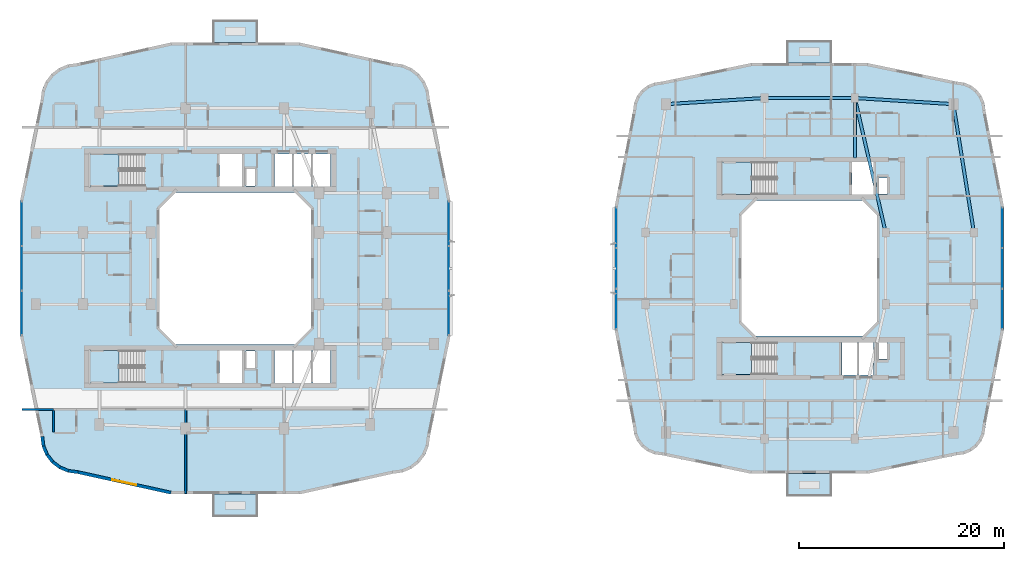
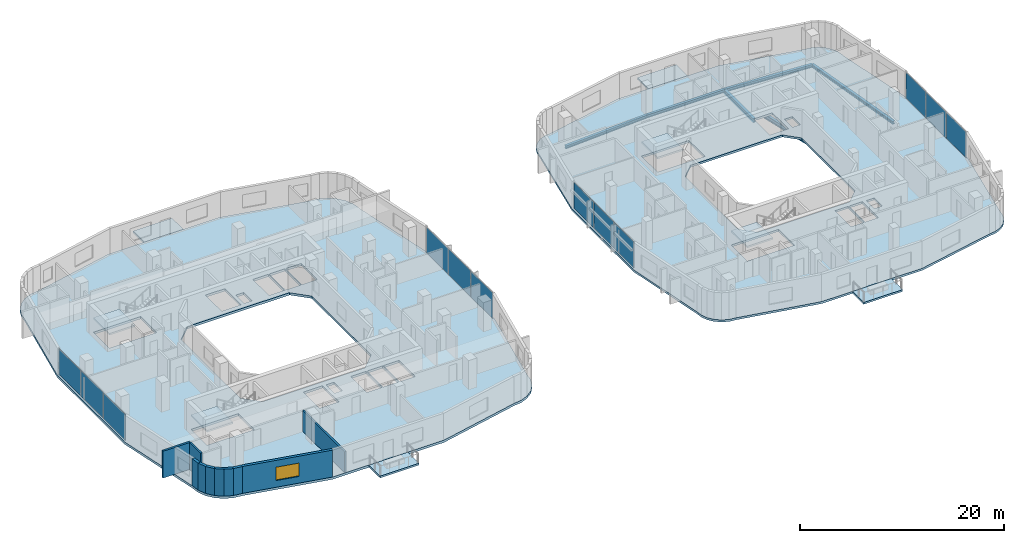
# One storey, part 7 of 22: 12 plates, 10 slabs, 10 walls, 6 beams, 1 window, 1 opening, 8 elements without a shape of their own.
"""IFC4 building model written with IfcOpenShell, lengths in metres."""

from ifc_helpers import new_model, si_unit, derived_unit, direction, frame, frame_2d, origin, origin_2d, place, context, subcontext, project, spatial, polyline, rectangle, i_section, outline, extrude, material, layer, layer_set, material_profile, profile_set, type_object, element, fill, aggregate, save


model = new_model("IFC4")

# Units and contexts
model_context = context("Model", 3, precision=1e-05, world=origin(), true_north=direction((0.0, 1.0)))
body_context = subcontext(model_context, "Body", "Model", "MODEL_VIEW")
ifc_project = project(units=[si_unit("LENGTHUNIT", "METRE"), si_unit("AREAUNIT", "SQUARE_METRE"), si_unit("VOLUMEUNIT", "CUBIC_METRE"), si_unit("PLANEANGLEUNIT", "RADIAN"), si_unit("MASSUNIT", "GRAM", prefix="KILO"), derived_unit("THERMALTRANSMITTANCEUNIT", [(si_unit("POWERUNIT", "WATT"), 1), (si_unit("LENGTHUNIT", "METRE"), -2), (si_unit("THERMODYNAMICTEMPERATUREUNIT", "KELVIN"), -1)])], contexts=[model_context])

# Site, building, storey
site_placement = place(None, origin())
site = spatial("IfcSite", under=ifc_project, at=site_placement, CompositionType="ELEMENT")
building_placement = place(site_placement, origin())
building = spatial("IfcBuilding", under=site, at=building_placement, Name="Kivonza Crest Hotel", CompositionType="ELEMENT")
storey_placement = place(building_placement, frame((0.0, 0.0, 69.5)))
storey = spatial("IfcBuildingStorey", under=building, at=storey_placement, Name="L18", CompositionType="ELEMENT", Elevation=69.5)

# Beams
ifc_material_1 = material(Name="Steel S355", Category="steel")
ifc_material_profile_1 = material_profile(ifc_material_1, i_section(OverallWidth=0.300048828125, OverallDepth=0.360107421875, WebThickness=0.012451171875, FlangeThickness=0.0224609375, FilletRadius=0.027099609375, at=origin_2d()), Name="HEB 360")
ifc_profile_set_1 = profile_set([ifc_material_profile_1], Name="Steel S355")
beam_type_1 = type_object("IfcBeamType", Name="BM-HEB360", PredefinedType="SPANDREL", material=ifc_profile_set_1)
beam_1_placement = place(storey_placement, frame((93.0, 28.5, -0.429931640625), z_axis=(-0.157990501107, 0.987440631917, 0.0), x_axis=(-0.987440631917, -0.157990501107, 0.0)))
element("IfcBeam", 1, at=beam_1_placement, inside=storey, type_object=beam_type_1, Name="Companion Tower T2 L18 perimeter spandrel E2-NE", PredefinedType="SPANDREL", context=body_context, shape_type="SweptSolid", body=[
    extrude(i_section(OverallWidth=0.300048828125, OverallDepth=0.360107421875, WebThickness=0.012451171875, FlangeThickness=0.0224609375, FilletRadius=0.027099609375, at=origin_2d()), origin(), (0.0, 0.0, 1.0), 12.658935546875),
])
beam_2_placement = place(storey_placement, frame((91.0, 41.0, -0.429931640625), z_axis=(-0.998051985873, 0.062387767186, 0.0), x_axis=(-0.062387767186, -0.998051985873, 0.0)))
element("IfcBeam", 2, at=beam_2_placement, inside=storey, type_object=beam_type_1, Name="Companion Tower T2 L18 perimeter spandrel NE-N2", PredefinedType="SPANDREL", context=body_context, shape_type="SweptSolid", body=[
    extrude(i_section(OverallWidth=0.300048828125, OverallDepth=0.360107421875, WebThickness=0.012451171875, FlangeThickness=0.0224609375, FilletRadius=0.027099609375, at=origin_2d()), origin(), (0.0, 0.0, 1.0), 9.618896484375),
])
beam_3_placement = place(storey_placement, frame((81.39990234375, 41.60009765625, -0.429931640625), z_axis=(-1.0, 0.0, 0.0), x_axis=(0.0, -1.0, 0.0)))
element("IfcBeam", 3, at=beam_3_placement, inside=storey, type_object=beam_type_1, Name="Companion Tower T2 L18 perimeter spandrel N2-N1", PredefinedType="SPANDREL", context=body_context, shape_type="SweptSolid", body=[
    extrude(i_section(OverallWidth=0.300048828125, OverallDepth=0.360107421875, WebThickness=0.012451171875, FlangeThickness=0.0224609375, FilletRadius=0.027099609375, at=origin_2d()), origin(), (0.0, 0.0, 1.0), 8.7998046875),
])
beam_4_placement = place(storey_placement, frame((72.60009765625, 41.60009765625, -0.429931640625), z_axis=(-0.998051985873, -0.062387767186, 0.0), x_axis=(0.062387767186, -0.998051985873, 0.0)))
element("IfcBeam", 4, at=beam_4_placement, inside=storey, type_object=beam_type_1, Name="Companion Tower T2 L18 perimeter spandrel N1-NW", PredefinedType="SPANDREL", context=body_context, shape_type="SweptSolid", body=[
    extrude(i_section(OverallWidth=0.300048828125, OverallDepth=0.360107421875, WebThickness=0.012451171875, FlangeThickness=0.0224609375, FilletRadius=0.027099609375, at=origin_2d()), origin(), (0.0, 0.0, 1.0), 9.618896484375),
])
ifc_material_profile_2 = material_profile(ifc_material_1, i_section(OverallWidth=0.300048828125, OverallDepth=0.5, WebThickness=0.014404296875, FlangeThickness=0.028076171875, FilletRadius=0.027099609375, at=origin_2d()), Name="HEB 500")
ifc_profile_set_2 = profile_set([ifc_material_profile_2], Name="Steel S355")
beam_type_2 = type_object("IfcBeamType", Name="BM-HEB500", PredefinedType="BEAM", material=ifc_profile_set_2)
beam_5_placement = place(storey_placement, frame((84.39990234375, 28.5, -0.5), z_axis=(-0.223227287589, 0.974766422317, 0.0), x_axis=(-0.974766422317, -0.223227287589, 0.0)))
element("IfcBeam", 5, at=beam_5_placement, inside=storey, type_object=beam_type_2, Name="Companion Tower T2 L18 girder WR2-N2", PredefinedType="BEAM", context=body_context, shape_type="SweptSolid", body=[
    extrude(i_section(OverallWidth=0.300048828125, OverallDepth=0.5, WebThickness=0.014404296875, FlangeThickness=0.028076171875, FilletRadius=0.027099609375, at=origin_2d()), origin(), (0.0, 0.0, 1.0), 13.439208984375),
])
beam_6_placement = place(storey_placement, frame((81.39990234375, 41.60009765625, -0.5), z_axis=(0.0, -1.0, 0.0), x_axis=(1.0, 0.0, 0.0)))
element("IfcBeam", 6, at=beam_6_placement, inside=storey, type_object=beam_type_2, Name="Companion T2 L18 radial core girder RN2", PredefinedType="BEAM", context=body_context, shape_type="SweptSolid", body=[
    extrude(i_section(OverallWidth=0.300048828125, OverallDepth=0.5, WebThickness=0.014404296875, FlangeThickness=0.028076171875, FilletRadius=0.027099609375, at=origin_2d()), origin(), (0.0, 0.0, 1.0), 5.85009765625),
])

# Curtain wall, plates
ifc_material_2 = material(Name="Anodised bronze aluminium and low-E double glazing", Category="aluminium")
ifc_layer_1 = layer(ifc_material_2, 0.179931640625)
ifc_layer_set_1 = layer_set([ifc_layer_1], Name="Anodised bronze aluminium and low-E double glazing")
curtain_wall_type_1 = type_object("IfcCurtainWallType", Name="CW-SYS-2", PredefinedType="NOTDEFINED", material=ifc_layer_set_1)
curtain_wall_1_placement = place(storey_placement, origin())
curtain_wall_1 = element("IfcCurtainWall", 7, at=curtain_wall_1_placement, inside=storey, type_object=curtain_wall_type_1, Name="L18 unitised curtain wall CW-T1-L18-17", PredefinedType="NOTDEFINED")
ifc_material_3 = material(Name="Solar-control low-E double glazing", Category="glass")
ifc_layer_2 = layer(ifc_material_3, 0.028076171875)
ifc_layer_set_2 = layer_set([ifc_layer_2], Name="Solar-control low-E double glazing")
plate_type = type_object("IfcPlateType", Name="CW-PNL-28", PredefinedType="CURTAIN_PANEL", material=ifc_layer_set_2)
plate_1_placement = place(storey_placement, frame((41.840087890625, 20.642822265625, 0.06494140625), z_axis=(0.0, 0.0, 1.0), x_axis=(0.0, 1.0, 0.0)))
plate_1 = element("IfcPlate", 8, at=plate_1_placement, type_object=plate_type, Name="CW-2 panel 1.1", PredefinedType="CURTAIN_PANEL", context=body_context, shape_type="SweptSolid", body=[
    extrude(rectangle(XDim=4.27587890625, YDim=0.028076171875, at=origin_2d()), origin(), (0.0, 0.0, 1.0), 3.090087890625),
])
plate_2_placement = place(storey_placement, frame((41.840087890625, 25.0, 0.06494140625), z_axis=(0.0, 0.0, 1.0), x_axis=(0.0, 1.0, 0.0)))
plate_2 = element("IfcPlate", 9, at=plate_2_placement, type_object=plate_type, Name="CW-2 panel 2.1", PredefinedType="CURTAIN_PANEL", context=body_context, shape_type="SweptSolid", body=[
    extrude(rectangle(XDim=4.308349609375, YDim=0.028076171875, at=origin_2d()), origin(), (0.0, 0.0, 1.0), 3.090087890625),
])
plate_3_placement = place(storey_placement, frame((41.840087890625, 29.357177734375, 0.06494140625), z_axis=(0.0, 0.0, 1.0), x_axis=(0.0, 1.0, 0.0)))
plate_3 = element("IfcPlate", 10, at=plate_3_placement, type_object=plate_type, Name="CW-2 panel 3.1", PredefinedType="CURTAIN_PANEL", context=body_context, shape_type="SweptSolid", body=[
    extrude(rectangle(XDim=4.27587890625, YDim=0.028076171875, at=origin_2d()), origin(), (0.0, 0.0, 1.0), 3.090087890625),
])
aggregate(curtain_wall_1, [plate_1, plate_2, plate_3])

curtain_wall_2_placement = place(storey_placement, origin())
curtain_wall_2 = element("IfcCurtainWall", 11, at=curtain_wall_2_placement, inside=storey, type_object=curtain_wall_type_1, Name="L18 unitised curtain wall CW-T1-L18-35", PredefinedType="NOTDEFINED")
plate_4_placement = place(storey_placement, frame((0.239990234375, 29.357177734375, 0.06494140625), z_axis=(0.0, 0.0, 1.0), x_axis=(0.0, -1.0, 0.0)))
plate_4 = element("IfcPlate", 12, at=plate_4_placement, type_object=plate_type, Name="CW-2 panel 1.1", PredefinedType="CURTAIN_PANEL", context=body_context, shape_type="SweptSolid", body=[
    extrude(rectangle(XDim=4.27587890625, YDim=0.028076171875, at=origin_2d()), origin(), (0.0, 0.0, 1.0), 3.090087890625),
])
plate_5_placement = place(storey_placement, frame((0.239990234375, 25.0, 0.06494140625), z_axis=(0.0, 0.0, 1.0), x_axis=(0.0, -1.0, 0.0)))
plate_5 = element("IfcPlate", 13, at=plate_5_placement, type_object=plate_type, Name="CW-2 panel 2.1", PredefinedType="CURTAIN_PANEL", context=body_context, shape_type="SweptSolid", body=[
    extrude(rectangle(XDim=4.308349609375, YDim=0.028076171875, at=origin_2d()), origin(), (0.0, 0.0, 1.0), 3.090087890625),
])
plate_6_placement = place(storey_placement, frame((0.239990234375, 20.642822265625, 0.06494140625), z_axis=(0.0, 0.0, 1.0), x_axis=(0.0, -1.0, 0.0)))
plate_6 = element("IfcPlate", 14, at=plate_6_placement, type_object=plate_type, Name="CW-2 panel 3.1", PredefinedType="CURTAIN_PANEL", context=body_context, shape_type="SweptSolid", body=[
    extrude(rectangle(XDim=4.27587890625, YDim=0.028076171875, at=origin_2d()), origin(), (0.0, 0.0, 1.0), 3.090087890625),
])
aggregate(curtain_wall_2, [plate_4, plate_5, plate_6])

ifc_layer_3 = layer(ifc_material_2, 0.179931640625)
ifc_layer_set_3 = layer_set([ifc_layer_3], Name="Anodised bronze aluminium and low-E double glazing")
curtain_wall_type_2 = type_object("IfcCurtainWallType", Name="CW-SYS-4", PredefinedType="NOTDEFINED", material=ifc_layer_set_3)
curtain_wall_3_placement = place(storey_placement, origin())
curtain_wall_3 = element("IfcCurtainWall", 15, at=curtain_wall_3_placement, inside=storey, type_object=curtain_wall_type_2, Name="L18 unitised curtain wall CW-T2-L18-17", PredefinedType="NOTDEFINED")
plate_7_placement = place(storey_placement, frame((95.760009765625, 21.04296875, 0.06494140625), z_axis=(0.0, 0.0, 1.0), x_axis=(0.0, 1.0, 0.0)))
plate_7 = element("IfcPlate", 16, at=plate_7_placement, type_object=plate_type, Name="CW-4 panel 1.1", PredefinedType="CURTAIN_PANEL", context=body_context, shape_type="SweptSolid", body=[
    extrude(rectangle(XDim=3.875732421875, YDim=0.028076171875, at=origin_2d()), origin(), (0.0, 0.0, 1.0), 3.1201171875),
])
plate_8_placement = place(storey_placement, frame((95.760009765625, 25.0, 0.06494140625), z_axis=(0.0, 0.0, 1.0), x_axis=(0.0, 1.0, 0.0)))
plate_8 = element("IfcPlate", 17, at=plate_8_placement, type_object=plate_type, Name="CW-4 panel 2.1", PredefinedType="CURTAIN_PANEL", context=body_context, shape_type="SweptSolid", body=[
    extrude(rectangle(XDim=3.908447265625, YDim=0.028076171875, at=origin_2d()), origin(), (0.0, 0.0, 1.0), 3.1201171875),
])
plate_9_placement = place(storey_placement, frame((95.760009765625, 28.95703125, 0.06494140625), z_axis=(0.0, 0.0, 1.0), x_axis=(0.0, 1.0, 0.0)))
plate_9 = element("IfcPlate", 18, at=plate_9_placement, type_object=plate_type, Name="CW-4 panel 3.1", PredefinedType="CURTAIN_PANEL", context=body_context, shape_type="SweptSolid", body=[
    extrude(rectangle(XDim=3.875732421875, YDim=0.028076171875, at=origin_2d()), origin(), (0.0, 0.0, 1.0), 3.1201171875),
])
aggregate(curtain_wall_3, [plate_7, plate_8, plate_9])

curtain_wall_4_placement = place(storey_placement, origin())
curtain_wall_4 = element("IfcCurtainWall", 19, at=curtain_wall_4_placement, inside=storey, type_object=curtain_wall_type_2, Name="L18 unitised curtain wall CW-T2-L18-35", PredefinedType="NOTDEFINED")
plate_10_placement = place(storey_placement, frame((58.159912109375, 28.95703125, 0.06494140625), z_axis=(0.0, 0.0, 1.0), x_axis=(0.0, -1.0, 0.0)))
plate_10 = element("IfcPlate", 20, at=plate_10_placement, type_object=plate_type, Name="CW-4 panel 1.1", PredefinedType="CURTAIN_PANEL", context=body_context, shape_type="SweptSolid", body=[
    extrude(rectangle(XDim=3.875732421875, YDim=0.028076171875, at=origin_2d()), origin(), (0.0, 0.0, 1.0), 3.1201171875),
])
plate_11_placement = place(storey_placement, frame((58.159912109375, 25.0, 0.06494140625), z_axis=(0.0, 0.0, 1.0), x_axis=(0.0, -1.0, 0.0)))
plate_11 = element("IfcPlate", 21, at=plate_11_placement, type_object=plate_type, Name="CW-4 panel 2.1", PredefinedType="CURTAIN_PANEL", context=body_context, shape_type="SweptSolid", body=[
    extrude(rectangle(XDim=3.908447265625, YDim=0.028076171875, at=origin_2d()), origin(), (0.0, 0.0, 1.0), 3.1201171875),
])
plate_12_placement = place(storey_placement, frame((58.159912109375, 21.04296875, 0.06494140625), z_axis=(0.0, 0.0, 1.0), x_axis=(0.0, -1.0, 0.0)))
plate_12 = element("IfcPlate", 22, at=plate_12_placement, type_object=plate_type, Name="CW-4 panel 3.1", PredefinedType="CURTAIN_PANEL", context=body_context, shape_type="SweptSolid", body=[
    extrude(rectangle(XDim=3.875732421875, YDim=0.028076171875, at=origin_2d()), origin(), (0.0, 0.0, 1.0), 3.1201171875),
])
aggregate(curtain_wall_4, [plate_10, plate_11, plate_12])

# Slab
ifc_material_4 = material(Name="Concrete C40/50", Category="concrete")
ifc_layer_4 = layer(ifc_material_4, 0.280029296875)
ifc_layer_set_4 = layer_set([ifc_layer_4], Name="Concrete C40/50")
slab_type_1 = type_object("IfcSlabType", Name="SL-HTL-280", PredefinedType="FLOOR", material=ifc_layer_set_4)
slab_1_placement = place(storey_placement, frame((0.0, 0.0, -0.280029296875)))
element("IfcSlab", 23, at=slab_1_placement, inside=storey, type_object=slab_type_1, Name="Tower T1 L18 floor slab", PredefinedType="FLOOR", context=body_context, shape_type="SweptSolid", body=[
    extrude(outline(polyline([(2.080078125, 8.60009765625), (2.202880859375, 7.66796875), (2.56201171875, 6.800048828125), (3.134033203125, 6.053955078125), (3.8798828125, 5.48193359375), (4.748046875, 5.123046875), (5.679931640625, 5.0), (14.751953125, 3.0), (27.327880859375, 3.0), (36.39990234375, 5.0), (37.33203125, 5.123046875), (38.199951171875, 5.48193359375), (38.946044921875, 6.053955078125), (39.51806640625, 6.800048828125), (39.876953125, 7.66796875), (40.0, 8.60009765625), (42.0, 18.39990234375), (42.0, 31.60009765625), (40.0, 41.39990234375), (39.876953125, 42.33203125), (39.51806640625, 43.199951171875), (38.946044921875, 43.946044921875), (38.199951171875, 44.51806640625), (37.33203125, 44.876953125), (36.39990234375, 45.0), (27.327880859375, 47.0), (14.751953125, 47.0), (5.679931640625, 45.0), (4.748046875, 44.876953125), (3.8798828125, 44.51806640625), (3.134033203125, 43.946044921875), (2.56201171875, 43.199951171875), (2.202880859375, 42.33203125), (2.080078125, 41.39990234375), (0.080078125, 31.60009765625), (0.080078125, 18.39990234375), (2.080078125, 8.60009765625)]), holes=[polyline([(15.239990234375, 17.60009765625), (26.840087890625, 17.60009765625), (28.43994140625, 19.199951171875), (28.43994140625, 30.800048828125), (26.840087890625, 32.39990234375), (15.239990234375, 32.39990234375), (13.639892578125, 30.800048828125), (13.639892578125, 19.199951171875), (15.239990234375, 17.60009765625)]), polyline([(6.800048828125, 33.02001953125), (12.159912109375, 33.02001953125), (12.159912109375, 36.159912109375), (6.800048828125, 36.159912109375), (6.800048828125, 33.02001953125)]), polyline([(6.800048828125, 13.860107421875), (12.159912109375, 13.860107421875), (12.159912109375, 17.0), (6.800048828125, 17.0), (6.800048828125, 13.860107421875)]), polyline([(22.080078125, 33.0400390625), (22.969970703125, 33.0400390625), (22.969970703125, 34.679931640625), (22.080078125, 34.679931640625), (22.080078125, 33.0400390625)]), polyline([(22.080078125, 15.320068359375), (22.969970703125, 15.320068359375), (22.969970703125, 16.9599609375), (22.080078125, 16.9599609375), (22.080078125, 15.320068359375)]), polyline([(19.5, 33.0), (21.699951171875, 33.0), (21.699951171875, 36.159912109375), (19.5, 36.159912109375), (19.5, 33.0)]), polyline([(24.860107421875, 33.0), (26.60693359375, 33.0), (26.60693359375, 36.159912109375), (24.860107421875, 36.159912109375), (24.860107421875, 33.0)]), polyline([(26.72705078125, 33.0), (28.472900390625, 33.0), (28.472900390625, 36.159912109375), (26.72705078125, 36.159912109375), (26.72705078125, 33.0)]), polyline([(28.593017578125, 33.0), (30.340087890625, 33.0), (30.340087890625, 36.159912109375), (28.593017578125, 36.159912109375), (28.593017578125, 33.0)]), polyline([(19.5, 13.840087890625), (21.699951171875, 13.840087890625), (21.699951171875, 17.0), (19.5, 17.0), (19.5, 13.840087890625)]), polyline([(24.860107421875, 13.840087890625), (26.60693359375, 13.840087890625), (26.60693359375, 17.0), (24.860107421875, 17.0), (24.860107421875, 13.840087890625)]), polyline([(26.72705078125, 13.840087890625), (28.472900390625, 13.840087890625), (28.472900390625, 17.0), (26.72705078125, 17.0), (26.72705078125, 13.840087890625)]), polyline([(28.593017578125, 13.840087890625), (30.340087890625, 13.840087890625), (30.340087890625, 17.0), (28.593017578125, 17.0), (28.593017578125, 13.840087890625)])]), origin(), (0.0, 0.0, 1.0), 0.280029296875),
])

# Stair, slab
stair_type = type_object("IfcStairType", Name="ST-DL-20R", PredefinedType="HALF_TURN_STAIR", material=ifc_material_4)
stair_1_placement = place(storey_placement, origin())
stair_1 = element("IfcStair", 24, at=stair_1_placement, inside=storey, type_object=stair_type, Name="L18 Protected Exit Stair ST-T1-N", PredefinedType="HALF_TURN_STAIR")
ifc_layer_5 = layer(ifc_material_4, 0.199951171875)
ifc_layer_set_5 = layer_set([ifc_layer_5], Name="Concrete C40/50")
slab_type_2 = type_object("IfcSlabType", Name="SL-LAND-200", PredefinedType="LANDING", material=ifc_layer_set_5)
slab_2_placement = place(storey_placement, frame((0.0, 0.0, 1.550048828125)))
slab_2 = element("IfcSlab", 25, at=slab_2_placement, type_object=slab_type_2, Name="ST-T1-N landing 1", PredefinedType="LANDING", context=body_context, shape_type="SweptSolid", body=[
    extrude(outline(polyline([(9.719970703125, 36.159912109375), (6.800048828125, 36.159912109375), (6.800048828125, 33.02001953125), (9.719970703125, 33.02001953125), (9.719970703125, 36.159912109375)])), origin(), (0.0, 0.0, 1.0), 0.199951171875),
])
aggregate(stair_1, [slab_2])

stair_2_placement = place(storey_placement, origin())
stair_2 = element("IfcStair", 26, at=stair_2_placement, inside=storey, type_object=stair_type, Name="L18 Protected Exit Stair ST-T1-S", PredefinedType="HALF_TURN_STAIR")
slab_3_placement = place(storey_placement, frame((0.0, 0.0, 1.550048828125)))
slab_3 = element("IfcSlab", 27, at=slab_3_placement, type_object=slab_type_2, Name="ST-T1-S landing 1", PredefinedType="LANDING", context=body_context, shape_type="SweptSolid", body=[
    extrude(outline(polyline([(9.719970703125, 17.0), (6.800048828125, 17.0), (6.800048828125, 13.860107421875), (9.719970703125, 13.860107421875), (9.719970703125, 17.0)])), origin(), (0.0, 0.0, 1.0), 0.199951171875),
])
aggregate(stair_2, [slab_3])

stair_3_placement = place(storey_placement, origin())
stair_3 = element("IfcStair", 28, at=stair_3_placement, inside=storey, type_object=stair_type, Name="L18 Protected Exit Stair ST-T2-N", PredefinedType="HALF_TURN_STAIR")
slab_4_placement = place(storey_placement, frame((0.0, 0.0, 1.550048828125)))
slab_4 = element("IfcSlab", 29, at=slab_4_placement, type_object=slab_type_2, Name="ST-T2-N landing 1", PredefinedType="LANDING", context=body_context, shape_type="SweptSolid", body=[
    extrude(outline(polyline([(71.320068359375, 35.360107421875), (68.39990234375, 35.360107421875), (68.39990234375, 32.219970703125), (71.320068359375, 32.219970703125), (71.320068359375, 35.360107421875)])), origin(), (0.0, 0.0, 1.0), 0.199951171875),
])
aggregate(stair_3, [slab_4])

stair_4_placement = place(storey_placement, origin())
stair_4 = element("IfcStair", 30, at=stair_4_placement, inside=storey, type_object=stair_type, Name="L18 Protected Exit Stair ST-T2-S", PredefinedType="HALF_TURN_STAIR")
slab_5_placement = place(storey_placement, frame((0.0, 0.0, 1.550048828125)))
slab_5 = element("IfcSlab", 31, at=slab_5_placement, type_object=slab_type_2, Name="ST-T2-S landing 1", PredefinedType="LANDING", context=body_context, shape_type="SweptSolid", body=[
    extrude(outline(polyline([(71.320068359375, 17.800048828125), (68.39990234375, 17.800048828125), (68.39990234375, 14.659912109375), (71.320068359375, 14.659912109375), (71.320068359375, 17.800048828125)])), origin(), (0.0, 0.0, 1.0), 0.199951171875),
])
aggregate(stair_4, [slab_5])

# Slabs
ifc_layer_6 = layer(ifc_material_4, 0.25)
ifc_layer_set_6 = layer_set([ifc_layer_6], Name="Concrete C40/50")
slab_type_3 = type_object("IfcSlabType", Name="SL-RES-250", PredefinedType="FLOOR", material=ifc_layer_set_6)
slab_6_placement = place(storey_placement, frame((0.0, 0.0, -0.25)))
element("IfcSlab", 32, at=slab_6_placement, inside=storey, type_object=slab_type_3, Name="Companion Tower T2 L18 floor slab", PredefinedType="FLOOR", context=body_context, shape_type="SweptSolid", body=[
    extrude(outline(polyline([(59.800048828125, 9.60009765625), (59.89501953125, 8.875), (60.175048828125, 8.199951171875), (60.6201171875, 7.6201171875), (61.199951171875, 7.175048828125), (61.875, 6.89501953125), (62.60009765625, 6.800048828125), (71.27197265625, 5.0), (82.64794921875, 5.0), (91.320068359375, 6.800048828125), (92.044921875, 6.89501953125), (92.719970703125, 7.175048828125), (93.300048828125, 7.6201171875), (93.7451171875, 8.199951171875), (94.02490234375, 8.875), (94.1201171875, 9.60009765625), (95.919921875, 19.0), (95.919921875, 31.0), (94.1201171875, 40.39990234375), (94.02490234375, 41.125), (93.7451171875, 41.800048828125), (93.300048828125, 42.3798828125), (92.719970703125, 42.824951171875), (92.044921875, 43.10498046875), (91.320068359375, 43.199951171875), (82.64794921875, 45.0), (71.27197265625, 45.0), (62.60009765625, 43.199951171875), (61.875, 43.10498046875), (61.199951171875, 42.824951171875), (60.6201171875, 42.3798828125), (60.175048828125, 41.800048828125), (59.89501953125, 41.125), (59.800048828125, 40.39990234375), (58.0, 31.0), (58.0, 19.0), (59.800048828125, 9.60009765625)]), holes=[polyline([(71.760009765625, 18.39990234375), (82.159912109375, 18.39990234375), (83.56005859375, 19.800048828125), (83.56005859375, 30.199951171875), (82.159912109375, 31.60009765625), (71.760009765625, 31.60009765625), (70.360107421875, 30.199951171875), (70.360107421875, 19.800048828125), (71.760009765625, 18.39990234375)]), polyline([(68.39990234375, 32.219970703125), (73.760009765625, 32.219970703125), (73.760009765625, 35.360107421875), (68.39990234375, 35.360107421875), (68.39990234375, 32.219970703125)]), polyline([(68.39990234375, 14.659912109375), (73.760009765625, 14.659912109375), (73.760009765625, 17.800048828125), (68.39990234375, 17.800048828125), (68.39990234375, 14.659912109375)]), polyline([(83.679931640625, 32.239990234375), (84.570068359375, 32.239990234375), (84.570068359375, 33.820068359375), (83.679931640625, 33.820068359375), (83.679931640625, 32.239990234375)]), polyline([(83.679931640625, 16.179931640625), (84.570068359375, 16.179931640625), (84.570068359375, 17.760009765625), (83.679931640625, 17.760009765625), (83.679931640625, 16.179931640625)]), polyline([(81.10009765625, 32.199951171875), (83.199951171875, 32.199951171875), (83.199951171875, 35.360107421875), (81.10009765625, 35.360107421875), (81.10009765625, 32.199951171875)]), polyline([(80.159912109375, 14.639892578125), (81.639892578125, 14.639892578125), (81.639892578125, 17.800048828125), (80.159912109375, 17.800048828125), (80.159912109375, 14.639892578125)]), polyline([(81.760009765625, 14.639892578125), (83.239990234375, 14.639892578125), (83.239990234375, 17.800048828125), (81.760009765625, 17.800048828125), (81.760009765625, 14.639892578125)])]), origin(), (0.0, 0.0, 1.0), 0.25),
])
ifc_layer_7 = layer(ifc_material_4, 0.219970703125)
ifc_layer_set_7 = layer_set([ifc_layer_7], Name="Concrete C40/50")
slab_type_4 = type_object("IfcSlabType", Name="SL-SKYG-220", PredefinedType="FLOOR", material=ifc_layer_set_7)
slab_7_placement = place(storey_placement, frame((0.0, 0.0, -0.219970703125)))
element("IfcSlab", 33, at=slab_7_placement, inside=storey, type_object=slab_type_4, Name="Tower T1 L18 SW planted sky-garden bridge", PredefinedType="FLOOR", context=body_context, shape_type="SweptSolid", body=[
    extrude(outline(polyline([(18.840087890625, 0.800048828125), (23.239990234375, 0.800048828125), (23.239990234375, 3.0), (18.840087890625, 3.0), (18.840087890625, 0.800048828125)])), origin(), (0.0, 0.0, 1.0), 0.219970703125),
])
slab_8_placement = place(storey_placement, frame((0.0, 0.0, -0.219970703125)))
element("IfcSlab", 34, at=slab_8_placement, inside=storey, type_object=slab_type_4, Name="Tower T1 L18 NE planted sky-garden bridge", PredefinedType="FLOOR", context=body_context, shape_type="SweptSolid", body=[
    extrude(outline(polyline([(18.840087890625, 47.0), (23.239990234375, 47.0), (23.239990234375, 49.199951171875), (18.840087890625, 49.199951171875), (18.840087890625, 47.0)])), origin(), (0.0, 0.0, 1.0), 0.219970703125),
])
slab_9_placement = place(storey_placement, frame((0.0, 0.0, -0.219970703125)))
element("IfcSlab", 35, at=slab_9_placement, inside=storey, type_object=slab_type_4, Name="Companion Tower T2 L18 SW planted sky-garden bridge", PredefinedType="FLOOR", context=body_context, shape_type="SweptSolid", body=[
    extrude(outline(polyline([(74.760009765625, 2.800048828125), (79.159912109375, 2.800048828125), (79.159912109375, 5.0), (74.760009765625, 5.0), (74.760009765625, 2.800048828125)])), origin(), (0.0, 0.0, 1.0), 0.219970703125),
])
slab_10_placement = place(storey_placement, frame((0.0, 0.0, -0.219970703125)))
element("IfcSlab", 36, at=slab_10_placement, inside=storey, type_object=slab_type_4, Name="Companion Tower T2 L18 NE planted sky-garden bridge", PredefinedType="FLOOR", context=body_context, shape_type="SweptSolid", body=[
    extrude(outline(polyline([(74.760009765625, 45.0), (79.159912109375, 45.0), (79.159912109375, 47.199951171875), (74.760009765625, 47.199951171875), (74.760009765625, 45.0)])), origin(), (0.0, 0.0, 1.0), 0.219970703125),
])

# Walls
ifc_material_5 = material(Name="High-density acoustic masonry inter-tenancy wall", Category="masonry")
ifc_layer_8 = layer(ifc_material_5, 0.179931640625)
ifc_layer_set_8 = layer_set([ifc_layer_8], Name="High-density acoustic masonry inter-tenancy wall")
wall_type_1 = type_object("IfcWallType", Name="WL-ACOU-180", PredefinedType="SOLIDWALL", material=ifc_layer_set_8)
wall_1_placement = place(storey_placement, frame((16.199951171875, 3.06005859375, 0.0), z_axis=(0.0, 0.0, 1.0), x_axis=(0.0, 1.0, 0.0)))
element("IfcWall", 37, at=wall_1_placement, inside=storey, type_object=wall_type_1, Name="L18 interior partition WA-L18-T1S-DIV1", PredefinedType="SOLIDWALL", context=body_context, shape_type="SweptSolid", body=[
    extrude(rectangle(XDim=8.18994140625, YDim=0.179931640625, at=frame_2d((4.094970703125, 0.0))), origin(), (0.0, 0.0, 1.0), 2.4951171875),
])
ifc_material_6 = material(Name="Autoclaved aerated concrete blockwork", Category="masonry")
ifc_layer_9 = layer(ifc_material_6, 0.219970703125)
ifc_layer_set_9 = layer_set([ifc_layer_9], Name="Autoclaved aerated concrete blockwork")
wall_type_2 = type_object("IfcWallType", Name="WL-ACOU-220", PredefinedType="SOLIDWALL", material=ifc_layer_set_9)
wall_2_placement = place(storey_placement, frame((0.239990234375, 11.25, 0.0), z_axis=(0.0, 0.0, 1.0), x_axis=(1.0, 0.0, 0.0)))
element("IfcWall", 38, at=wall_2_placement, inside=storey, type_object=wall_type_2, Name="L18 interior partition WA-L18-S04-XCORR", PredefinedType="SOLIDWALL", context=body_context, shape_type="SweptSolid", body=[
    extrude(rectangle(XDim=3.110107421875, YDim=0.219970703125, at=frame_2d((1.55517578125, 0.0))), origin(), (0.0, 0.0, 1.0), 3.219970703125),
])
ifc_material_7 = material(Name="Precast concrete C40/50", Category="concrete")
ifc_layer_10 = layer(ifc_material_7, 0.300048828125)
ifc_layer_set_10 = layer_set([ifc_layer_10], Name="Precast concrete C40/50")
wall_type_3 = type_object("IfcWallType", Name="WL-EXT-300", PredefinedType="STANDARD", material=ifc_layer_set_10)
wall_3_placement = place(storey_placement, frame((2.22802734375, 8.6279296875, 0.0), z_axis=(0.0, 0.0, 1.0), x_axis=(0.131174864804, -0.991359246108, 0.0)))
element("IfcWall", 39, at=wall_3_placement, inside=storey, type_object=wall_type_3, Name="L18 T1 exterior insulated wall 1", PredefinedType="STANDARD", context=body_context, shape_type="SweptSolid", body=[
    extrude(rectangle(XDim=0.93798828125, YDim=0.300048828125, at=frame_2d((0.468994140625, 0.0))), origin(), (0.0, 0.0, 1.0), 3.219970703125),
])
wall_4_placement = place(storey_placement, frame((2.33203125, 7.748046875, 0.0), z_axis=(0.0, 0.0, 1.0), x_axis=(0.382344263057, -0.924019948111, 0.0)))
element("IfcWall", 40, at=wall_4_placement, inside=storey, type_object=wall_type_3, Name="L18 T1 exterior insulated wall 2", PredefinedType="STANDARD", context=body_context, shape_type="SweptSolid", body=[
    extrude(rectangle(XDim=0.95458984375, YDim=0.300048828125, at=frame_2d((0.477294921875, 0.0))), origin(), (0.0, 0.0, 1.0), 3.219970703125),
])
for number, where, z_axis, x_axis, name in (
    (41, (2.666015625, 6.910888671875, 0.0), (0.0, 0.0, 1.0), (0.608474481025, -0.793573440799, 0.0), "L18 T1 exterior insulated wall 3"),
    (42, (3.205078125, 6.18798828125, 0.0), (0.0, 0.0, 1.0), (0.793573440799, -0.608474481025, 0.0), "L18 T1 exterior insulated wall 4"),
):
    element("IfcWall", number, at=place(storey_placement, frame(where, z_axis=z_axis, x_axis=x_axis)), inside=storey, type_object=wall_type_3, Name=name, PredefinedType="STANDARD", context=body_context, shape_type="SweptSolid", body=[
        extrude(rectangle(XDim=0.954833984375, YDim=0.300048828125, at=frame_2d((0.4775390625, 0.0))), origin(), (0.0, 0.0, 1.0), 3.219970703125),
    ])
wall_5_placement = place(storey_placement, frame((3.9140625, 5.631103515625, 0.0), z_axis=(0.0, 0.0, 1.0), x_axis=(0.923982547689, -0.382434636986, 0.0)))
element("IfcWall", 43, at=wall_5_placement, inside=storey, type_object=wall_type_3, Name="L18 T1 exterior insulated wall 5", PredefinedType="STANDARD", context=body_context, shape_type="SweptSolid", body=[
    extrude(rectangle(XDim=0.954345703125, YDim=0.300048828125, at=frame_2d((0.47705078125, 0.0))), origin(), (0.0, 0.0, 1.0), 3.219970703125),
])
wall_6_placement = place(storey_placement, frame((4.742919921875, 5.27490234375, 0.0), z_axis=(0.0, 0.0, 1.0), x_axis=(0.99145856342, -0.130422072598, 0.0)))
element("IfcWall", 44, at=wall_6_placement, inside=storey, type_object=wall_type_3, Name="L18 T1 exterior insulated wall 6", PredefinedType="STANDARD", context=body_context, shape_type="SweptSolid", body=[
    extrude(rectangle(XDim=0.973388671875, YDim=0.300048828125, at=frame_2d((0.48681640625, 0.0))), origin(), (0.0, 0.0, 1.0), 3.219970703125),
])

# Wall, opening, window
wall_7_placement = place(storey_placement, frame((5.7041015625, 5.14794921875, 0.0), z_axis=(0.0, 0.0, 1.0), x_axis=(0.976539545934, -0.215338141596, 0.0)))
wall_7 = element("IfcWall", 45, at=wall_7_placement, inside=storey, type_object=wall_type_3, Name="L18 T1 exterior insulated wall 7", PredefinedType="STANDARD", context=body_context, shape_type="SweptSolid", body=[
    extrude(rectangle(XDim=9.28759765625, YDim=0.300048828125, at=frame_2d((4.643798828125, 0.0))), origin(), (0.0, 0.0, 1.0), 3.219970703125),
])
opening_placement = place(wall_7_placement, frame((3.444091796875, 0.0, 0.800048828125)))
opening = element("IfcOpeningElement", 46, at=opening_placement, cuts=wall_7, Name="Opening WN-05", PredefinedType="OPENING", context=body_context, shape_type="SweptSolid", body=[
    extrude(rectangle(XDim=2.39990234375, YDim=1.60009765625, at=frame_2d((1.199951171875, 0.800048828125))), frame((0.0, 0.16015625, 0.0), z_axis=(0.0, -1.0, 0.0), x_axis=(1.0, 0.0, 0.0)), (0.0, 0.0, 1.0), 0.320068359375),
])
ifc_material_8 = material(Name="Thermally broken bronze aluminium and low-E double glazing", Category="aluminium")
window_type = type_object("IfcWindowType", Name="WN-240x160", PartitioningType="TRIPLE_PANEL_VERTICAL", PredefinedType="WINDOW", material=ifc_material_8)
window_placement = place(opening_placement, origin())
window = element("IfcWindow", 47, at=window_placement, inside=storey, type_object=window_type, Name="L18 T1 facade window 7", OverallHeight=1.60009765625, OverallWidth=2.39990234375, PartitioningType="SINGLE_PANEL", PredefinedType="WINDOW", context=body_context, shape_type="SweptSolid", body=[
    extrude(rectangle(XDim=2.39990234375, YDim=1.60009765625, at=frame_2d((1.199951171875, 0.800048828125))), frame((0.0, 0.030029296875, 0.0), z_axis=(0.0, -1.0, 0.0), x_axis=(1.0, 0.0, 0.0)), (0.0, 0.0, 1.0), 0.06005859375),
])
fill(opening, window)

# Wall
ifc_material_9 = material(Name="Moisture-resistant plumbing chase partition wall", Category="gypsum")
ifc_layer_11 = layer(ifc_material_9, 0.199951171875)
ifc_layer_set_11 = layer_set([ifc_layer_11], Name="Moisture-resistant plumbing chase partition wall")
wall_type_4 = type_object("IfcWallType", Name="WL-PLUMB-200", PredefinedType="PLUMBINGWALL", material=ifc_layer_set_11)
wall_8_placement = place(storey_placement, frame((3.35009765625, 9.050048828125, 0.0), z_axis=(0.0, 0.0, 1.0), x_axis=(0.0, 1.0, 0.0)))
element("IfcWall", 48, at=wall_8_placement, inside=storey, type_object=wall_type_4, Name="L18 interior partition WW-L18-S04-BVW", PredefinedType="PLUMBINGWALL", context=body_context, shape_type="SweptSolid", body=[
    extrude(rectangle(XDim=2.099853515625, YDim=0.199951171875, at=frame_2d((1.0498046875, 0.0))), origin(), (0.0, 0.0, 1.0), 3.219970703125),
])

save(model, "model.ifc")
